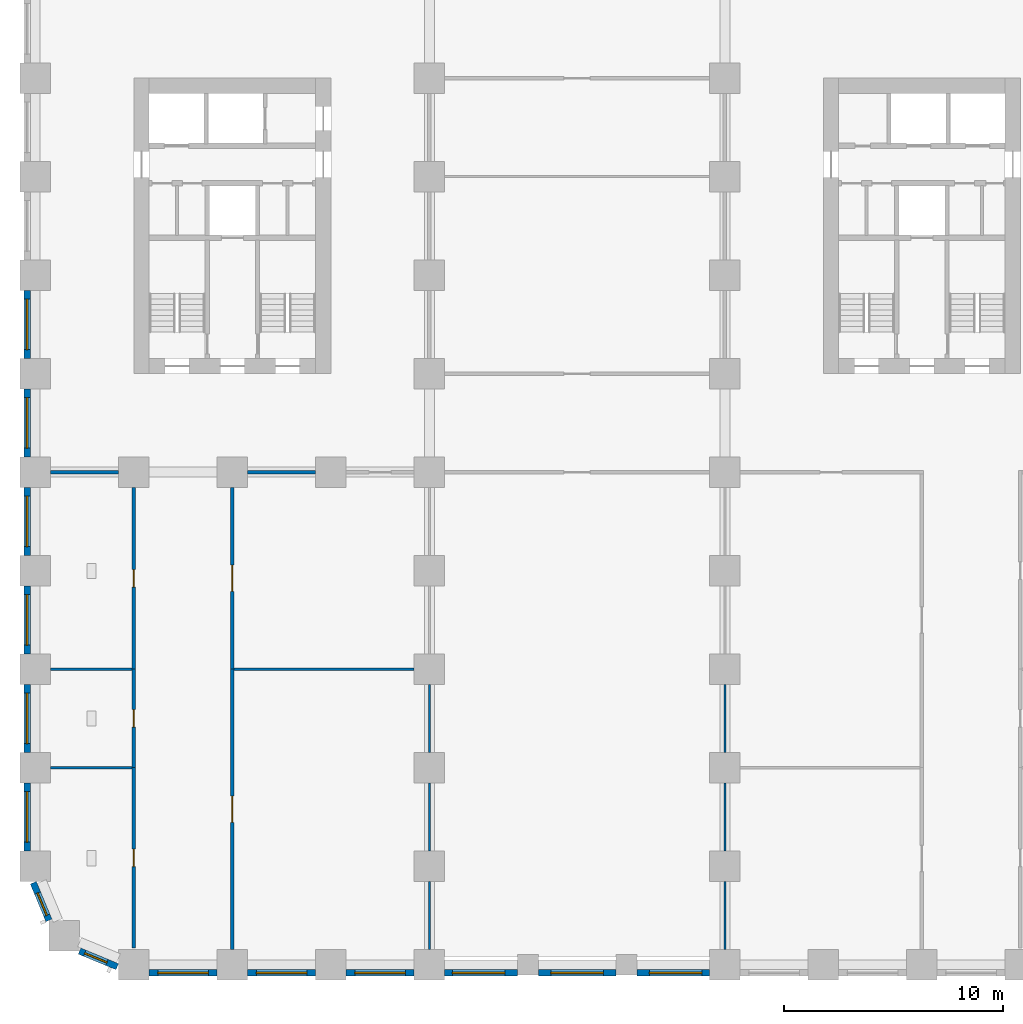
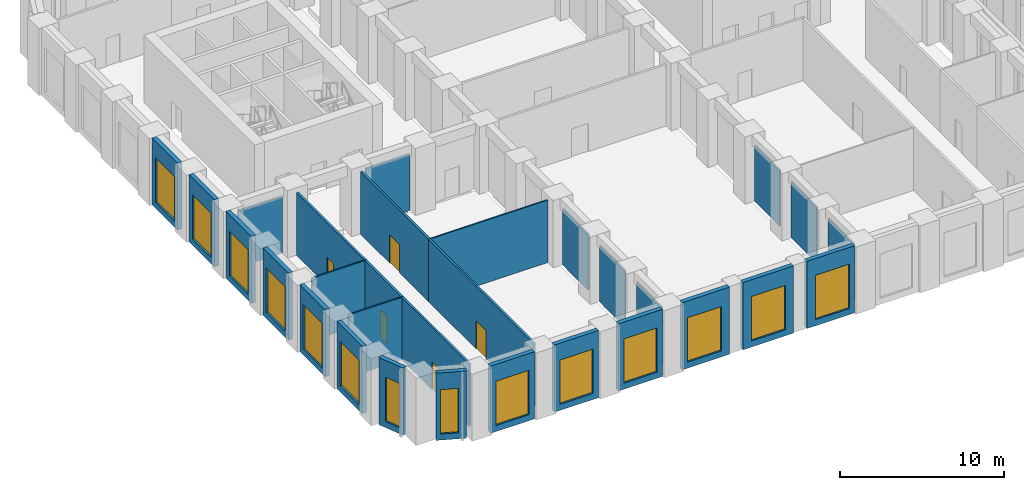
# One storey, part 3 of 19: 30 walls, 14 windows, 5 doors, 19 openings.
"""IFC4 building model written with IfcOpenShell, lengths in metres."""

from ifc_helpers import new_model, si_unit, direction, frame, frame_2d, origin, place, context, subcontext, project, spatial, rectangle, extrude, material, layer, layer_set, type_object, element, fill, save


model = new_model("IFC4")

# Units and contexts
model_context = context("Model", 3, precision=1e-05, world=origin(), true_north=direction((0.0, 1.0)))
body_context = subcontext(model_context, "Body", "Model", "MODEL_VIEW")
ifc_project = project(units=[si_unit("LENGTHUNIT", "METRE"), si_unit("AREAUNIT", "SQUARE_METRE"), si_unit("VOLUMEUNIT", "CUBIC_METRE"), si_unit("PLANEANGLEUNIT", "RADIAN"), si_unit("MASSUNIT", "GRAM", prefix="KILO")], contexts=[model_context])

# Site, building, storey
site_placement = place(None, origin())
site = spatial("IfcSite", under=ifc_project, at=site_placement, CompositionType="ELEMENT")
building_placement = place(site_placement, origin())
building = spatial("IfcBuilding", under=site, at=building_placement, Name="Girih Gate Residences", CompositionType="ELEMENT")
storey_placement = place(building_placement, frame((0.0, 0.0, 21.0)))
storey = spatial("IfcBuildingStorey", under=building, at=storey_placement, Name="L04", CompositionType="ELEMENT", Elevation=21.0)

# Walls
ifc_material_1 = material(Name="Gypsum board on steel studs", Category="steel")
ifc_layer_1 = layer(ifc_material_1, 0.14990234375)
ifc_layer_set_1 = layer_set([ifc_layer_1], Name="Compartment wall 150 mm")
wall_type_1 = type_object("IfcWallType", Name="Compartment wall 150 mm", PredefinedType="PARTITIONING", material=ifc_layer_set_1)
for number, where, z_axis, x_axis, name in (
    (1, (9.699951171875, 22.5, 0.0), (0.0, 0.0, 1.0), (1.0, 0.0, 0.0), "L04 partition"),
    (2, (0.699951171875, 22.5, 0.0), (0.0, 0.0, 1.0), (1.0, 0.0, 0.0), "L04 partition"),
):
    element("IfcWall", number, at=place(storey_placement, frame(where, z_axis=z_axis, x_axis=x_axis)), inside=storey, type_object=wall_type_1, Name=name, PredefinedType="PARTITIONING", context=body_context, shape_type="SweptSolid", body=[
        extrude(rectangle(XDim=3.10009765625, YDim=0.14990234375, at=frame_2d((1.550048828125, 0.0))), origin(), (0.0, 0.0, 1.0), 4.179931640625),
    ])

# Wall, opening, door
wall_1_placement = place(storey_placement, frame((9.0, 13.5, 0.0), z_axis=(0.0, 0.0, 1.0), x_axis=(0.0, -1.0, 0.0)))
wall_1 = element("IfcWall", 3, at=wall_1_placement, inside=storey, type_object=wall_type_1, Name="L04 partition", PredefinedType="PARTITIONING", context=body_context, shape_type="SweptSolid", body=[
    extrude(rectangle(XDim=12.800048828125, YDim=0.14990234375, at=frame_2d((6.39990234375, 0.0))), origin(), (0.0, 0.0, 1.0), 4.64990234375),
])
opening_1_placement = place(wall_1_placement, frame((5.800048828125, 0.0, 0.0)))
opening_1 = element("IfcOpeningElement", 4, at=opening_1_placement, cuts=wall_1, Name="Opening D-L04-S-018", PredefinedType="OPENING", context=body_context, shape_type="SweptSolid", body=[
    extrude(rectangle(XDim=1.199951171875, YDim=2.10009765625, at=frame_2d((0.60009765625, 1.050048828125))), frame((0.0, 0.0849609375, 0.0), z_axis=(0.0, -1.0, 0.0), x_axis=(1.0, 0.0, 0.0)), (0.0, 0.0, 1.0), 0.169921875),
])
ifc_material_2 = material(Name="Timber, fire-rated core", Category="wood")
door_type_1 = type_object("IfcDoorType", Name="Gallery fire door 1200x2100 FD30S", OperationType="SINGLE_SWING_LEFT", PredefinedType="DOOR", material=ifc_material_2)
door_1_placement = place(opening_1_placement, origin())
door_1 = element("IfcDoor", 5, at=door_1_placement, inside=storey, type_object=door_type_1, Name="Door L04-018", OperationType="SINGLE_SWING_RIGHT", OverallHeight=2.10009765625, OverallWidth=1.199951171875, PredefinedType="DOOR", context=body_context, shape_type="SweptSolid", body=[
    extrude(rectangle(XDim=1.199951171875, YDim=2.10009765625, at=frame_2d((0.60009765625, 1.050048828125))), frame((0.0, 0.02490234375, 0.0), z_axis=(0.0, -1.0, 0.0), x_axis=(1.0, 0.0, 0.0)), (0.0, 0.0, 1.0), 0.050048828125),
])
fill(opening_1, door_1)

wall_2_placement = place(storey_placement, frame((9.0, 21.800048828125, 0.0), z_axis=(0.0, 0.0, 1.0), x_axis=(0.0, -1.0, 0.0)))
wall_2 = element("IfcWall", 6, at=wall_2_placement, inside=storey, type_object=wall_type_1, Name="L04 partition", PredefinedType="PARTITIONING", context=body_context, shape_type="SweptSolid", body=[
    extrude(rectangle(XDim=8.300048828125, YDim=0.14990234375, at=frame_2d((4.14990234375, 0.0))), origin(), (0.0, 0.0, 1.0), 4.64990234375),
])
opening_2_placement = place(wall_2_placement, frame((3.550048828125, 0.0, 0.0)))
opening_2 = element("IfcOpeningElement", 7, at=opening_2_placement, cuts=wall_2, Name="Opening D-L04-S-019", PredefinedType="OPENING", context=body_context, shape_type="SweptSolid", body=[
    extrude(rectangle(XDim=1.199951171875, YDim=2.10009765625, at=frame_2d((0.60009765625, 1.050048828125))), frame((0.0, 0.0849609375, 0.0), z_axis=(0.0, -1.0, 0.0), x_axis=(1.0, 0.0, 0.0)), (0.0, 0.0, 1.0), 0.169921875),
])
door_2_placement = place(opening_2_placement, origin())
door_2 = element("IfcDoor", 8, at=door_2_placement, inside=storey, type_object=door_type_1, Name="Door L04-019", OperationType="SINGLE_SWING_RIGHT", OverallHeight=2.10009765625, OverallWidth=1.199951171875, PredefinedType="DOOR", context=body_context, shape_type="SweptSolid", body=[
    extrude(rectangle(XDim=1.199951171875, YDim=2.10009765625, at=frame_2d((0.60009765625, 1.050048828125))), frame((0.0, 0.02490234375, 0.0), z_axis=(0.0, -1.0, 0.0), x_axis=(1.0, 0.0, 0.0)), (0.0, 0.0, 1.0), 0.050048828125),
])
fill(opening_2, door_2)

wall_3_placement = place(storey_placement, frame((4.5, 0.757568359375, 0.0), z_axis=(0.0, 0.0, 1.0), x_axis=(0.0, 1.0, 0.0)))
wall_3 = element("IfcWall", 9, at=wall_3_placement, inside=storey, type_object=wall_type_1, Name="L04 partition", PredefinedType="PARTITIONING", context=body_context, shape_type="SweptSolid", body=[
    extrude(rectangle(XDim=8.242431640625, YDim=0.14990234375, at=frame_2d((4.12109375, 0.0))), origin(), (0.0, 0.0, 1.0), 4.64990234375),
])
opening_3_placement = place(wall_3_placement, frame((3.72119140625, 0.0, 0.0)))
opening_3 = element("IfcOpeningElement", 10, at=opening_3_placement, cuts=wall_3, Name="Opening D-L04-S-020", PredefinedType="OPENING", context=body_context, shape_type="SweptSolid", body=[
    extrude(rectangle(XDim=0.800048828125, YDim=2.10009765625, at=frame_2d((0.39990234375, 1.050048828125))), frame((0.0, 0.0849609375, 0.0), z_axis=(0.0, -1.0, 0.0), x_axis=(1.0, 0.0, 0.0)), (0.0, 0.0, 1.0), 0.169921875),
])
ifc_material_3 = material(Name="Timber", Category="wood")
door_type_2 = type_object("IfcDoorType", Name="WC and store door 800x2100", OperationType="SINGLE_SWING_LEFT", PredefinedType="DOOR", material=ifc_material_3)
door_3_placement = place(opening_3_placement, origin())
door_3 = element("IfcDoor", 11, at=door_3_placement, inside=storey, type_object=door_type_2, Name="Door L04-020", OperationType="SINGLE_SWING_RIGHT", OverallHeight=2.10009765625, OverallWidth=0.800048828125, PredefinedType="DOOR", context=body_context, shape_type="SweptSolid", body=[
    extrude(rectangle(XDim=0.800048828125, YDim=2.10009765625, at=frame_2d((0.39990234375, 1.050048828125))), frame((0.0, 0.02490234375, 0.0), z_axis=(0.0, -1.0, 0.0), x_axis=(1.0, 0.0, 0.0)), (0.0, 0.0, 1.0), 0.050048828125),
])
fill(opening_3, door_3)

wall_4_placement = place(storey_placement, frame((4.5, 9.0, 0.0), z_axis=(0.0, 0.0, 1.0), x_axis=(0.0, 1.0, 0.0)))
wall_4 = element("IfcWall", 12, at=wall_4_placement, inside=storey, type_object=wall_type_1, Name="L04 partition", PredefinedType="PARTITIONING", context=body_context, shape_type="SweptSolid", body=[
    extrude(rectangle(XDim=4.5, YDim=0.14990234375, at=frame_2d((2.25, 0.0))), origin(), (0.0, 0.0, 1.0), 4.64990234375),
])
opening_4_placement = place(wall_4_placement, frame((1.85009765625, 0.0, 0.0)))
opening_4 = element("IfcOpeningElement", 13, at=opening_4_placement, cuts=wall_4, Name="Opening D-L04-S-021", PredefinedType="OPENING", context=body_context, shape_type="SweptSolid", body=[
    extrude(rectangle(XDim=0.800048828125, YDim=2.10009765625, at=frame_2d((0.39990234375, 1.050048828125))), frame((0.0, 0.0849609375, 0.0), z_axis=(0.0, -1.0, 0.0), x_axis=(1.0, 0.0, 0.0)), (0.0, 0.0, 1.0), 0.169921875),
])
door_4_placement = place(opening_4_placement, origin())
door_4 = element("IfcDoor", 14, at=door_4_placement, inside=storey, type_object=door_type_2, Name="Door L04-021", OperationType="SINGLE_SWING_RIGHT", OverallHeight=2.10009765625, OverallWidth=0.800048828125, PredefinedType="DOOR", context=body_context, shape_type="SweptSolid", body=[
    extrude(rectangle(XDim=0.800048828125, YDim=2.10009765625, at=frame_2d((0.39990234375, 1.050048828125))), frame((0.0, 0.02490234375, 0.0), z_axis=(0.0, -1.0, 0.0), x_axis=(1.0, 0.0, 0.0)), (0.0, 0.0, 1.0), 0.050048828125),
])
fill(opening_4, door_4)

wall_5_placement = place(storey_placement, frame((4.5, 13.5, 0.0), z_axis=(0.0, 0.0, 1.0), x_axis=(0.0, 1.0, 0.0)))
wall_5 = element("IfcWall", 15, at=wall_5_placement, inside=storey, type_object=wall_type_1, Name="L04 partition", PredefinedType="PARTITIONING", context=body_context, shape_type="SweptSolid", body=[
    extrude(rectangle(XDim=8.300048828125, YDim=0.14990234375, at=frame_2d((4.14990234375, 0.0))), origin(), (0.0, 0.0, 1.0), 4.64990234375),
])
opening_5_placement = place(wall_5_placement, frame((3.75, 0.0, 0.0)))
opening_5 = element("IfcOpeningElement", 16, at=opening_5_placement, cuts=wall_5, Name="Opening D-L04-S-022", PredefinedType="OPENING", context=body_context, shape_type="SweptSolid", body=[
    extrude(rectangle(XDim=0.800048828125, YDim=2.10009765625, at=frame_2d((0.39990234375, 1.050048828125))), frame((0.0, 0.0849609375, 0.0), z_axis=(0.0, -1.0, 0.0), x_axis=(1.0, 0.0, 0.0)), (0.0, 0.0, 1.0), 0.169921875),
])
door_5_placement = place(opening_5_placement, origin())
door_5 = element("IfcDoor", 17, at=door_5_placement, inside=storey, type_object=door_type_2, Name="Door L04-022", OperationType="SINGLE_SWING_LEFT", OverallHeight=2.10009765625, OverallWidth=0.800048828125, PredefinedType="DOOR", context=body_context, shape_type="SweptSolid", body=[
    extrude(rectangle(XDim=0.800048828125, YDim=2.10009765625, at=frame_2d((0.39990234375, 1.050048828125))), frame((0.0, 0.02490234375, 0.0), z_axis=(0.0, -1.0, 0.0), x_axis=(1.0, 0.0, 0.0)), (0.0, 0.0, 1.0), 0.050048828125),
])
fill(opening_5, door_5)

# Walls
ifc_layer_2 = layer(ifc_material_1, 0.10009765625)
ifc_layer_set_2 = layer_set([ifc_layer_2], Name="Partition 100 mm")
wall_type_2 = type_object("IfcWallType", Name="Partition 100 mm", PredefinedType="PARTITIONING", material=ifc_layer_set_2)
for number, where, z_axis, x_axis, name in (
    (18, (31.5, 5.199951171875, 0.0), (0.0, 0.0, 1.0), (0.0, 1.0, 0.0), "L04 partition"),
    (19, (31.5, 0.699951171875, 0.0), (0.0, 0.0, 1.0), (0.0, 1.0, 0.0), "L04 partition"),
    (20, (31.5, 9.699951171875, 0.0), (0.0, 0.0, 1.0), (0.0, 1.0, 0.0), "L04 partition"),
    (21, (18.0, 0.699951171875, 0.0), (0.0, 0.0, 1.0), (0.0, 1.0, 0.0), "L04 partition"),
    (22, (18.0, 5.199951171875, 0.0), (0.0, 0.0, 1.0), (0.0, 1.0, 0.0), "L04 partition"),
    (23, (18.0, 9.699951171875, 0.0), (0.0, 0.0, 1.0), (0.0, 1.0, 0.0), "L04 partition"),
):
    element("IfcWall", number, at=place(storey_placement, frame(where, z_axis=z_axis, x_axis=x_axis)), inside=storey, type_object=wall_type_2, Name=name, PredefinedType="PARTITIONING", context=body_context, shape_type="SweptSolid", body=[
        extrude(rectangle(XDim=3.10009765625, YDim=0.10009765625, at=frame_2d((1.550048828125, 0.0))), origin(), (0.0, 0.0, 1.0), 4.179931640625),
    ])
wall_6_placement = place(storey_placement, frame((9.074951171875, 13.5, 0.0), z_axis=(0.0, 0.0, 1.0), x_axis=(1.0, 0.0, 0.0)))
element("IfcWall", 24, at=wall_6_placement, inside=storey, type_object=wall_type_2, Name="L04 partition", PredefinedType="PARTITIONING", context=body_context, shape_type="SweptSolid", body=[
    extrude(rectangle(XDim=8.22509765625, YDim=0.10009765625, at=frame_2d((4.112548828125, 0.0))), origin(), (0.0, 0.0, 1.0), 4.64990234375),
])
for number, where, z_axis, x_axis, name in (
    (25, (0.699951171875, 9.0, 0.0), (0.0, 0.0, 1.0), (1.0, 0.0, 0.0), "L04 partition"),
    (26, (0.699951171875, 13.5, 0.0), (0.0, 0.0, 1.0), (1.0, 0.0, 0.0), "L04 partition"),
):
    element("IfcWall", number, at=place(storey_placement, frame(where, z_axis=z_axis, x_axis=x_axis)), inside=storey, type_object=wall_type_2, Name=name, PredefinedType="PARTITIONING", context=body_context, shape_type="SweptSolid", body=[
        extrude(rectangle(XDim=3.72509765625, YDim=0.10009765625, at=frame_2d((1.862548828125, 0.0))), origin(), (0.0, 0.0, 1.0), 4.64990234375),
    ])

# Wall, opening, window
ifc_material_4 = material(Name="Precast concrete C50/60", Category="concrete")
ifc_layer_3 = layer(ifc_material_4, 0.080078125, Name="Outer leaf")
ifc_material_5 = material(Name="Rigid PIR insulation")
ifc_layer_4 = layer(ifc_material_5, 0.14990234375, Name="Insulation")
ifc_material_6 = material(Name="Precast concrete C40/50", Category="concrete")
ifc_layer_5 = layer(ifc_material_6, 0.070068359375, Name="Inner leaf")
ifc_layer_set_3 = layer_set([ifc_layer_3, ifc_layer_4, ifc_layer_5], Name="Precast concrete C50/60 external wall 300")
wall_type_3 = type_object("IfcWallType", Name="Precast concrete C50/60 external wall 300", PredefinedType="SOLIDWALL", material=ifc_layer_set_3)
wall_7_placement = place(storey_placement, frame((0.62158203125, 2.01953125, 0.0), z_axis=(0.0, 0.0, 1.0), x_axis=(-0.38262540684, 0.923903565336, 0.0)))
wall_7 = element("IfcWall", 27, at=wall_7_placement, inside=storey, type_object=wall_type_3, Name="External wall SW0000_0045.0", PredefinedType="SOLIDWALL", context=body_context, shape_type="SweptSolid", body=[
    extrude(rectangle(XDim=1.864990234375, YDim=0.300048828125, at=frame_2d((0.9326171875, 0.0))), origin(), (0.0, 0.0, 1.0), 5.0),
])
opening_6_placement = place(wall_7_placement, frame((0.257568359375, 0.0, 0.449951171875)))
opening_6 = element("IfcOpeningElement", 28, at=opening_6_placement, cuts=wall_7, Name="Opening W-2A", PredefinedType="OPENING", context=body_context, shape_type="SweptSolid", body=[
    extrude(rectangle(XDim=1.10009765625, YDim=3.300048828125, at=frame_2d((0.550048828125, 1.64990234375))), frame((0.0, 0.159912109375, 0.0), z_axis=(0.0, -1.0, 0.0), x_axis=(1.0, 0.0, 0.0)), (0.0, 0.0, 1.0), 0.320068359375),
])
ifc_material_7 = material(Name="Double glazing in aluminium frame", Category="aluminium")
window_type_1 = type_object("IfcWindowType", Name="Window W-2A 1100x3300", PartitioningType="SINGLE_PANEL", PredefinedType="WINDOW", material=ifc_material_7)
window_1_placement = place(opening_6_placement, origin())
window_1 = element("IfcWindow", 29, at=window_1_placement, inside=storey, type_object=window_type_1, Name="Window W-2A SW0000_0045.0", OverallHeight=3.300048828125, OverallWidth=1.10009765625, PartitioningType="SINGLE_PANEL", PredefinedType="WINDOW", context=body_context, shape_type="SweptSolid", body=[
    extrude(rectangle(XDim=1.10009765625, YDim=3.300048828125, at=frame_2d((0.550048828125, 1.64990234375))), frame((0.0, 0.030029296875, 0.0), z_axis=(0.0, -1.0, 0.0), x_axis=(1.0, 0.0, 0.0)), (0.0, 0.0, 1.0), 0.06005859375),
])
fill(opening_6, window_1)

wall_8_placement = place(storey_placement, frame((3.74267578125, -0.09228515625, 0.0), z_axis=(0.0, 0.0, 1.0), x_axis=(-0.923857286003, 0.382737135771, 0.0)))
wall_8 = element("IfcWall", 30, at=wall_8_placement, inside=storey, type_object=wall_type_3, Name="External wall SW0013_0013.0", PredefinedType="SOLIDWALL", context=body_context, shape_type="SweptSolid", body=[
    extrude(rectangle(XDim=1.865234375, YDim=0.300048828125, at=frame_2d((0.9326171875, 0.0))), origin(), (0.0, 0.0, 1.0), 5.0),
])
opening_7_placement = place(wall_8_placement, frame((0.507568359375, 0.0, 0.449951171875)))
opening_7 = element("IfcOpeningElement", 31, at=opening_7_placement, cuts=wall_8, Name="Opening W-2A", PredefinedType="OPENING", context=body_context, shape_type="SweptSolid", body=[
    extrude(rectangle(XDim=1.10009765625, YDim=3.300048828125, at=frame_2d((0.550048828125, 1.64990234375))), frame((0.0, 0.159912109375, 0.0), z_axis=(0.0, -1.0, 0.0), x_axis=(1.0, 0.0, 0.0)), (0.0, 0.0, 1.0), 0.320068359375),
])
window_2_placement = place(opening_7_placement, origin())
window_2 = element("IfcWindow", 32, at=window_2_placement, inside=storey, type_object=window_type_1, Name="Window W-2A SW0013_0013.0", OverallHeight=3.300048828125, OverallWidth=1.10009765625, PartitioningType="SINGLE_PANEL", PredefinedType="WINDOW", context=body_context, shape_type="SweptSolid", body=[
    extrude(rectangle(XDim=1.10009765625, YDim=3.300048828125, at=frame_2d((0.550048828125, 1.64990234375))), frame((0.0, 0.030029296875, 0.0), z_axis=(0.0, -1.0, 0.0), x_axis=(1.0, 0.0, 0.0)), (0.0, 0.0, 1.0), 0.06005859375),
])
fill(opening_7, window_2)

wall_9_placement = place(storey_placement, frame((8.300048828125, -0.375, 0.0), z_axis=(0.0, 0.0, 1.0), x_axis=(-1.0, 0.0, 0.0)))
wall_9 = element("IfcWall", 33, at=wall_9_placement, inside=storey, type_object=wall_type_3, Name="External wall S0045_0000.0", PredefinedType="SOLIDWALL", context=body_context, shape_type="SweptSolid", body=[
    extrude(rectangle(XDim=3.10009765625, YDim=0.300048828125, at=frame_2d((1.550048828125, 0.0))), origin(), (0.0, 0.0, 1.0), 5.0),
])
opening_8_placement = place(wall_9_placement, frame((0.39990234375, 0.0, 0.449951171875)))
opening_8 = element("IfcOpeningElement", 34, at=opening_8_placement, cuts=wall_9, Name="Opening W-3", PredefinedType="OPENING", context=body_context, shape_type="SweptSolid", body=[
    extrude(rectangle(XDim=2.300048828125, YDim=3.300048828125, at=frame_2d((1.14990234375, 1.64990234375))), frame((0.0, 0.159912109375, 0.0), z_axis=(0.0, -1.0, 0.0), x_axis=(1.0, 0.0, 0.0)), (0.0, 0.0, 1.0), 0.320068359375),
])
window_type_2 = type_object("IfcWindowType", Name="Window W-3 2300x3300", PartitioningType="SINGLE_PANEL", PredefinedType="WINDOW", material=ifc_material_7)
window_3_placement = place(opening_8_placement, origin())
window_3 = element("IfcWindow", 35, at=window_3_placement, inside=storey, type_object=window_type_2, Name="Window W-3 S0045_0000.0", OverallHeight=3.300048828125, OverallWidth=2.300048828125, PartitioningType="SINGLE_PANEL", PredefinedType="WINDOW", context=body_context, shape_type="SweptSolid", body=[
    extrude(rectangle(XDim=2.300048828125, YDim=3.300048828125, at=frame_2d((1.14990234375, 1.64990234375))), frame((0.0, 0.030029296875, 0.0), z_axis=(0.0, -1.0, 0.0), x_axis=(1.0, 0.0, 0.0)), (0.0, 0.0, 1.0), 0.06005859375),
])
fill(opening_8, window_3)

wall_10_placement = place(storey_placement, frame((12.800048828125, -0.375, 0.0), z_axis=(0.0, 0.0, 1.0), x_axis=(-1.0, 0.0, 0.0)))
wall_10 = element("IfcWall", 36, at=wall_10_placement, inside=storey, type_object=wall_type_3, Name="External wall S0045_0000.1", PredefinedType="SOLIDWALL", context=body_context, shape_type="SweptSolid", body=[
    extrude(rectangle(XDim=3.10009765625, YDim=0.300048828125, at=frame_2d((1.550048828125, 0.0))), origin(), (0.0, 0.0, 1.0), 5.0),
])
opening_9_placement = place(wall_10_placement, frame((0.39990234375, 0.0, 0.449951171875)))
opening_9 = element("IfcOpeningElement", 37, at=opening_9_placement, cuts=wall_10, Name="Opening W-3", PredefinedType="OPENING", context=body_context, shape_type="SweptSolid", body=[
    extrude(rectangle(XDim=2.300048828125, YDim=3.300048828125, at=frame_2d((1.14990234375, 1.64990234375))), frame((0.0, 0.159912109375, 0.0), z_axis=(0.0, -1.0, 0.0), x_axis=(1.0, 0.0, 0.0)), (0.0, 0.0, 1.0), 0.320068359375),
])
window_4_placement = place(opening_9_placement, origin())
window_4 = element("IfcWindow", 38, at=window_4_placement, inside=storey, type_object=window_type_2, Name="Window W-3 S0045_0000.1", OverallHeight=3.300048828125, OverallWidth=2.300048828125, PartitioningType="SINGLE_PANEL", PredefinedType="WINDOW", context=body_context, shape_type="SweptSolid", body=[
    extrude(rectangle(XDim=2.300048828125, YDim=3.300048828125, at=frame_2d((1.14990234375, 1.64990234375))), frame((0.0, 0.030029296875, 0.0), z_axis=(0.0, -1.0, 0.0), x_axis=(1.0, 0.0, 0.0)), (0.0, 0.0, 1.0), 0.06005859375),
])
fill(opening_9, window_4)

wall_11_placement = place(storey_placement, frame((17.300048828125, -0.375, 0.0), z_axis=(0.0, 0.0, 1.0), x_axis=(-1.0, 0.0, 0.0)))
wall_11 = element("IfcWall", 39, at=wall_11_placement, inside=storey, type_object=wall_type_3, Name="External wall S0045_0000.2", PredefinedType="SOLIDWALL", context=body_context, shape_type="SweptSolid", body=[
    extrude(rectangle(XDim=3.10009765625, YDim=0.300048828125, at=frame_2d((1.550048828125, 0.0))), origin(), (0.0, 0.0, 1.0), 5.0),
])
opening_10_placement = place(wall_11_placement, frame((0.39990234375, 0.0, 0.449951171875)))
opening_10 = element("IfcOpeningElement", 40, at=opening_10_placement, cuts=wall_11, Name="Opening W-3", PredefinedType="OPENING", context=body_context, shape_type="SweptSolid", body=[
    extrude(rectangle(XDim=2.300048828125, YDim=3.300048828125, at=frame_2d((1.14990234375, 1.64990234375))), frame((0.0, 0.159912109375, 0.0), z_axis=(0.0, -1.0, 0.0), x_axis=(1.0, 0.0, 0.0)), (0.0, 0.0, 1.0), 0.320068359375),
])
window_5_placement = place(opening_10_placement, origin())
window_5 = element("IfcWindow", 41, at=window_5_placement, inside=storey, type_object=window_type_2, Name="Window W-3 S0045_0000.2", OverallHeight=3.300048828125, OverallWidth=2.300048828125, PartitioningType="SINGLE_PANEL", PredefinedType="WINDOW", context=body_context, shape_type="SweptSolid", body=[
    extrude(rectangle(XDim=2.300048828125, YDim=3.300048828125, at=frame_2d((1.14990234375, 1.64990234375))), frame((0.0, 0.030029296875, 0.0), z_axis=(0.0, -1.0, 0.0), x_axis=(1.0, 0.0, 0.0)), (0.0, 0.0, 1.0), 0.06005859375),
])
fill(opening_10, window_5)

wall_12_placement = place(storey_placement, frame((22.02490234375, -0.375, 0.0), z_axis=(0.0, 0.0, 1.0), x_axis=(-1.0, 0.0, 0.0)))
wall_12 = element("IfcWall", 42, at=wall_12_placement, inside=storey, type_object=wall_type_3, Name="External wall S0045_0000.3", PredefinedType="SOLIDWALL", context=body_context, shape_type="SweptSolid", body=[
    extrude(rectangle(XDim=3.324951171875, YDim=0.300048828125, at=frame_2d((1.66259765625, 0.0))), origin(), (0.0, 0.0, 1.0), 5.0),
])
opening_11_placement = place(wall_12_placement, frame((0.574951171875, 0.0, 0.449951171875)))
opening_11 = element("IfcOpeningElement", 43, at=opening_11_placement, cuts=wall_12, Name="Opening W-3A", PredefinedType="OPENING", context=body_context, shape_type="SweptSolid", body=[
    extrude(rectangle(XDim=2.39990234375, YDim=3.300048828125, at=frame_2d((1.199951171875, 1.64990234375))), frame((0.0, 0.159912109375, 0.0), z_axis=(0.0, -1.0, 0.0), x_axis=(1.0, 0.0, 0.0)), (0.0, 0.0, 1.0), 0.320068359375),
])
window_type_3 = type_object("IfcWindowType", Name="Window W-3A 2400x3300", PartitioningType="SINGLE_PANEL", PredefinedType="WINDOW", material=ifc_material_7)
window_6_placement = place(opening_11_placement, origin())
window_6 = element("IfcWindow", 44, at=window_6_placement, inside=storey, type_object=window_type_3, Name="Window W-3A S0045_0000.3", OverallHeight=3.300048828125, OverallWidth=2.39990234375, PartitioningType="SINGLE_PANEL", PredefinedType="WINDOW", context=body_context, shape_type="SweptSolid", body=[
    extrude(rectangle(XDim=2.39990234375, YDim=3.300048828125, at=frame_2d((1.199951171875, 1.64990234375))), frame((0.0, 0.030029296875, 0.0), z_axis=(0.0, -1.0, 0.0), x_axis=(1.0, 0.0, 0.0)), (0.0, 0.0, 1.0), 0.06005859375),
])
fill(opening_11, window_6)

wall_13_placement = place(storey_placement, frame((26.52490234375, -0.375, 0.0), z_axis=(0.0, 0.0, 1.0), x_axis=(-1.0, 0.0, 0.0)))
wall_13 = element("IfcWall", 45, at=wall_13_placement, inside=storey, type_object=wall_type_3, Name="External wall S0045_0000.4", PredefinedType="SOLIDWALL", context=body_context, shape_type="SweptSolid", body=[
    extrude(rectangle(XDim=3.5498046875, YDim=0.300048828125, at=frame_2d((1.77490234375, 0.0))), origin(), (0.0, 0.0, 1.0), 5.0),
])
opening_12_placement = place(wall_13_placement, frame((0.574951171875, 0.0, 0.449951171875)))
opening_12 = element("IfcOpeningElement", 46, at=opening_12_placement, cuts=wall_13, Name="Opening W-3A", PredefinedType="OPENING", context=body_context, shape_type="SweptSolid", body=[
    extrude(rectangle(XDim=2.39990234375, YDim=3.300048828125, at=frame_2d((1.199951171875, 1.64990234375))), frame((0.0, 0.159912109375, 0.0), z_axis=(0.0, -1.0, 0.0), x_axis=(1.0, 0.0, 0.0)), (0.0, 0.0, 1.0), 0.320068359375),
])
window_7_placement = place(opening_12_placement, origin())
window_7 = element("IfcWindow", 47, at=window_7_placement, inside=storey, type_object=window_type_3, Name="Window W-3A S0045_0000.4", OverallHeight=3.300048828125, OverallWidth=2.39990234375, PartitioningType="SINGLE_PANEL", PredefinedType="WINDOW", context=body_context, shape_type="SweptSolid", body=[
    extrude(rectangle(XDim=2.39990234375, YDim=3.300048828125, at=frame_2d((1.199951171875, 1.64990234375))), frame((0.0, 0.030029296875, 0.0), z_axis=(0.0, -1.0, 0.0), x_axis=(1.0, 0.0, 0.0)), (0.0, 0.0, 1.0), 0.06005859375),
])
fill(opening_12, window_7)

wall_14_placement = place(storey_placement, frame((30.800048828125, -0.375, 0.0), z_axis=(0.0, 0.0, 1.0), x_axis=(-1.0, 0.0, 0.0)))
wall_14 = element("IfcWall", 48, at=wall_14_placement, inside=storey, type_object=wall_type_3, Name="External wall S0045_0000.5", PredefinedType="SOLIDWALL", context=body_context, shape_type="SweptSolid", body=[
    extrude(rectangle(XDim=3.324951171875, YDim=0.300048828125, at=frame_2d((1.66259765625, 0.0))), origin(), (0.0, 0.0, 1.0), 5.0),
])
opening_13_placement = place(wall_14_placement, frame((0.35009765625, 0.0, 0.449951171875)))
opening_13 = element("IfcOpeningElement", 49, at=opening_13_placement, cuts=wall_14, Name="Opening W-3A", PredefinedType="OPENING", context=body_context, shape_type="SweptSolid", body=[
    extrude(rectangle(XDim=2.39990234375, YDim=3.300048828125, at=frame_2d((1.199951171875, 1.64990234375))), frame((0.0, 0.159912109375, 0.0), z_axis=(0.0, -1.0, 0.0), x_axis=(1.0, 0.0, 0.0)), (0.0, 0.0, 1.0), 0.320068359375),
])
window_8_placement = place(opening_13_placement, origin())
window_8 = element("IfcWindow", 50, at=window_8_placement, inside=storey, type_object=window_type_3, Name="Window W-3A S0045_0000.5", OverallHeight=3.300048828125, OverallWidth=2.39990234375, PartitioningType="SINGLE_PANEL", PredefinedType="WINDOW", context=body_context, shape_type="SweptSolid", body=[
    extrude(rectangle(XDim=2.39990234375, YDim=3.300048828125, at=frame_2d((1.199951171875, 1.64990234375))), frame((0.0, 0.030029296875, 0.0), z_axis=(0.0, -1.0, 0.0), x_axis=(1.0, 0.0, 0.0)), (0.0, 0.0, 1.0), 0.06005859375),
])
fill(opening_13, window_8)

wall_15_placement = place(storey_placement, frame((-0.375, 27.699951171875, 0.0), z_axis=(0.0, 0.0, 1.0), x_axis=(0.0, 1.0, 0.0)))
wall_15 = element("IfcWall", 51, at=wall_15_placement, inside=storey, type_object=wall_type_3, Name="External wall W0000_0450.3", PredefinedType="SOLIDWALL", context=body_context, shape_type="SweptSolid", body=[
    extrude(rectangle(XDim=3.10009765625, YDim=0.300048828125, at=frame_2d((1.550048828125, 0.0))), origin(), (0.0, 0.0, 1.0), 5.0),
])
opening_14_placement = place(wall_15_placement, frame((0.39990234375, 0.0, 0.449951171875)))
opening_14 = element("IfcOpeningElement", 52, at=opening_14_placement, cuts=wall_15, Name="Opening W-3", PredefinedType="OPENING", context=body_context, shape_type="SweptSolid", body=[
    extrude(rectangle(XDim=2.300048828125, YDim=3.300048828125, at=frame_2d((1.14990234375, 1.64990234375))), frame((0.0, 0.159912109375, 0.0), z_axis=(0.0, -1.0, 0.0), x_axis=(1.0, 0.0, 0.0)), (0.0, 0.0, 1.0), 0.320068359375),
])
window_9_placement = place(opening_14_placement, origin())
window_9 = element("IfcWindow", 53, at=window_9_placement, inside=storey, type_object=window_type_2, Name="Window W-3 W0000_0450.3", OverallHeight=3.300048828125, OverallWidth=2.300048828125, PartitioningType="SINGLE_PANEL", PredefinedType="WINDOW", context=body_context, shape_type="SweptSolid", body=[
    extrude(rectangle(XDim=2.300048828125, YDim=3.300048828125, at=frame_2d((1.14990234375, 1.64990234375))), frame((0.0, 0.030029296875, 0.0), z_axis=(0.0, -1.0, 0.0), x_axis=(1.0, 0.0, 0.0)), (0.0, 0.0, 1.0), 0.06005859375),
])
fill(opening_14, window_9)

wall_16_placement = place(storey_placement, frame((-0.375, 23.199951171875, 0.0), z_axis=(0.0, 0.0, 1.0), x_axis=(0.0, 1.0, 0.0)))
wall_16 = element("IfcWall", 54, at=wall_16_placement, inside=storey, type_object=wall_type_3, Name="External wall W0000_0450.4", PredefinedType="SOLIDWALL", context=body_context, shape_type="SweptSolid", body=[
    extrude(rectangle(XDim=3.10009765625, YDim=0.300048828125, at=frame_2d((1.550048828125, 0.0))), origin(), (0.0, 0.0, 1.0), 5.0),
])
opening_15_placement = place(wall_16_placement, frame((0.39990234375, 0.0, 0.449951171875)))
opening_15 = element("IfcOpeningElement", 55, at=opening_15_placement, cuts=wall_16, Name="Opening W-3", PredefinedType="OPENING", context=body_context, shape_type="SweptSolid", body=[
    extrude(rectangle(XDim=2.300048828125, YDim=3.300048828125, at=frame_2d((1.14990234375, 1.64990234375))), frame((0.0, 0.159912109375, 0.0), z_axis=(0.0, -1.0, 0.0), x_axis=(1.0, 0.0, 0.0)), (0.0, 0.0, 1.0), 0.320068359375),
])
window_10_placement = place(opening_15_placement, origin())
window_10 = element("IfcWindow", 56, at=window_10_placement, inside=storey, type_object=window_type_2, Name="Window W-3 W0000_0450.4", OverallHeight=3.300048828125, OverallWidth=2.300048828125, PartitioningType="SINGLE_PANEL", PredefinedType="WINDOW", context=body_context, shape_type="SweptSolid", body=[
    extrude(rectangle(XDim=2.300048828125, YDim=3.300048828125, at=frame_2d((1.14990234375, 1.64990234375))), frame((0.0, 0.030029296875, 0.0), z_axis=(0.0, -1.0, 0.0), x_axis=(1.0, 0.0, 0.0)), (0.0, 0.0, 1.0), 0.06005859375),
])
fill(opening_15, window_10)

wall_17_placement = place(storey_placement, frame((-0.375, 18.699951171875, 0.0), z_axis=(0.0, 0.0, 1.0), x_axis=(0.0, 1.0, 0.0)))
wall_17 = element("IfcWall", 57, at=wall_17_placement, inside=storey, type_object=wall_type_3, Name="External wall W0000_0450.5", PredefinedType="SOLIDWALL", context=body_context, shape_type="SweptSolid", body=[
    extrude(rectangle(XDim=3.10009765625, YDim=0.300048828125, at=frame_2d((1.550048828125, 0.0))), origin(), (0.0, 0.0, 1.0), 5.0),
])
opening_16_placement = place(wall_17_placement, frame((0.39990234375, 0.0, 0.449951171875)))
opening_16 = element("IfcOpeningElement", 58, at=opening_16_placement, cuts=wall_17, Name="Opening W-3", PredefinedType="OPENING", context=body_context, shape_type="SweptSolid", body=[
    extrude(rectangle(XDim=2.300048828125, YDim=3.300048828125, at=frame_2d((1.14990234375, 1.64990234375))), frame((0.0, 0.159912109375, 0.0), z_axis=(0.0, -1.0, 0.0), x_axis=(1.0, 0.0, 0.0)), (0.0, 0.0, 1.0), 0.320068359375),
])
window_11_placement = place(opening_16_placement, origin())
window_11 = element("IfcWindow", 59, at=window_11_placement, inside=storey, type_object=window_type_2, Name="Window W-3 W0000_0450.5", OverallHeight=3.300048828125, OverallWidth=2.300048828125, PartitioningType="SINGLE_PANEL", PredefinedType="WINDOW", context=body_context, shape_type="SweptSolid", body=[
    extrude(rectangle(XDim=2.300048828125, YDim=3.300048828125, at=frame_2d((1.14990234375, 1.64990234375))), frame((0.0, 0.030029296875, 0.0), z_axis=(0.0, -1.0, 0.0), x_axis=(1.0, 0.0, 0.0)), (0.0, 0.0, 1.0), 0.06005859375),
])
fill(opening_16, window_11)

wall_18_placement = place(storey_placement, frame((-0.375, 14.199951171875, 0.0), z_axis=(0.0, 0.0, 1.0), x_axis=(0.0, 1.0, 0.0)))
wall_18 = element("IfcWall", 60, at=wall_18_placement, inside=storey, type_object=wall_type_3, Name="External wall W0000_0450.6", PredefinedType="SOLIDWALL", context=body_context, shape_type="SweptSolid", body=[
    extrude(rectangle(XDim=3.10009765625, YDim=0.300048828125, at=frame_2d((1.550048828125, 0.0))), origin(), (0.0, 0.0, 1.0), 5.0),
])
opening_17_placement = place(wall_18_placement, frame((0.39990234375, 0.0, 0.449951171875)))
opening_17 = element("IfcOpeningElement", 61, at=opening_17_placement, cuts=wall_18, Name="Opening W-3", PredefinedType="OPENING", context=body_context, shape_type="SweptSolid", body=[
    extrude(rectangle(XDim=2.300048828125, YDim=3.300048828125, at=frame_2d((1.14990234375, 1.64990234375))), frame((0.0, 0.159912109375, 0.0), z_axis=(0.0, -1.0, 0.0), x_axis=(1.0, 0.0, 0.0)), (0.0, 0.0, 1.0), 0.320068359375),
])
window_12_placement = place(opening_17_placement, origin())
window_12 = element("IfcWindow", 62, at=window_12_placement, inside=storey, type_object=window_type_2, Name="Window W-3 W0000_0450.6", OverallHeight=3.300048828125, OverallWidth=2.300048828125, PartitioningType="SINGLE_PANEL", PredefinedType="WINDOW", context=body_context, shape_type="SweptSolid", body=[
    extrude(rectangle(XDim=2.300048828125, YDim=3.300048828125, at=frame_2d((1.14990234375, 1.64990234375))), frame((0.0, 0.030029296875, 0.0), z_axis=(0.0, -1.0, 0.0), x_axis=(1.0, 0.0, 0.0)), (0.0, 0.0, 1.0), 0.06005859375),
])
fill(opening_17, window_12)

wall_19_placement = place(storey_placement, frame((-0.375, 9.699951171875, 0.0), z_axis=(0.0, 0.0, 1.0), x_axis=(0.0, 1.0, 0.0)))
wall_19 = element("IfcWall", 63, at=wall_19_placement, inside=storey, type_object=wall_type_3, Name="External wall W0000_0450.7", PredefinedType="SOLIDWALL", context=body_context, shape_type="SweptSolid", body=[
    extrude(rectangle(XDim=3.10009765625, YDim=0.300048828125, at=frame_2d((1.550048828125, 0.0))), origin(), (0.0, 0.0, 1.0), 5.0),
])
opening_18_placement = place(wall_19_placement, frame((0.39990234375, 0.0, 0.449951171875)))
opening_18 = element("IfcOpeningElement", 64, at=opening_18_placement, cuts=wall_19, Name="Opening W-3", PredefinedType="OPENING", context=body_context, shape_type="SweptSolid", body=[
    extrude(rectangle(XDim=2.300048828125, YDim=3.300048828125, at=frame_2d((1.14990234375, 1.64990234375))), frame((0.0, 0.159912109375, 0.0), z_axis=(0.0, -1.0, 0.0), x_axis=(1.0, 0.0, 0.0)), (0.0, 0.0, 1.0), 0.320068359375),
])
window_13_placement = place(opening_18_placement, origin())
window_13 = element("IfcWindow", 65, at=window_13_placement, inside=storey, type_object=window_type_2, Name="Window W-3 W0000_0450.7", OverallHeight=3.300048828125, OverallWidth=2.300048828125, PartitioningType="SINGLE_PANEL", PredefinedType="WINDOW", context=body_context, shape_type="SweptSolid", body=[
    extrude(rectangle(XDim=2.300048828125, YDim=3.300048828125, at=frame_2d((1.14990234375, 1.64990234375))), frame((0.0, 0.030029296875, 0.0), z_axis=(0.0, -1.0, 0.0), x_axis=(1.0, 0.0, 0.0)), (0.0, 0.0, 1.0), 0.06005859375),
])
fill(opening_18, window_13)

wall_20_placement = place(storey_placement, frame((-0.375, 5.199951171875, 0.0), z_axis=(0.0, 0.0, 1.0), x_axis=(0.0, 1.0, 0.0)))
wall_20 = element("IfcWall", 66, at=wall_20_placement, inside=storey, type_object=wall_type_3, Name="External wall W0000_0450.8", PredefinedType="SOLIDWALL", context=body_context, shape_type="SweptSolid", body=[
    extrude(rectangle(XDim=3.10009765625, YDim=0.300048828125, at=frame_2d((1.550048828125, 0.0))), origin(), (0.0, 0.0, 1.0), 5.0),
])
opening_19_placement = place(wall_20_placement, frame((0.39990234375, 0.0, 0.449951171875)))
opening_19 = element("IfcOpeningElement", 67, at=opening_19_placement, cuts=wall_20, Name="Opening W-3", PredefinedType="OPENING", context=body_context, shape_type="SweptSolid", body=[
    extrude(rectangle(XDim=2.300048828125, YDim=3.300048828125, at=frame_2d((1.14990234375, 1.64990234375))), frame((0.0, 0.159912109375, 0.0), z_axis=(0.0, -1.0, 0.0), x_axis=(1.0, 0.0, 0.0)), (0.0, 0.0, 1.0), 0.320068359375),
])
window_14_placement = place(opening_19_placement, origin())
window_14 = element("IfcWindow", 68, at=window_14_placement, inside=storey, type_object=window_type_2, Name="Window W-3 W0000_0450.8", OverallHeight=3.300048828125, OverallWidth=2.300048828125, PartitioningType="SINGLE_PANEL", PredefinedType="WINDOW", context=body_context, shape_type="SweptSolid", body=[
    extrude(rectangle(XDim=2.300048828125, YDim=3.300048828125, at=frame_2d((1.14990234375, 1.64990234375))), frame((0.0, 0.030029296875, 0.0), z_axis=(0.0, -1.0, 0.0), x_axis=(1.0, 0.0, 0.0)), (0.0, 0.0, 1.0), 0.06005859375),
])
fill(opening_19, window_14)

save(model, "model.ifc")
